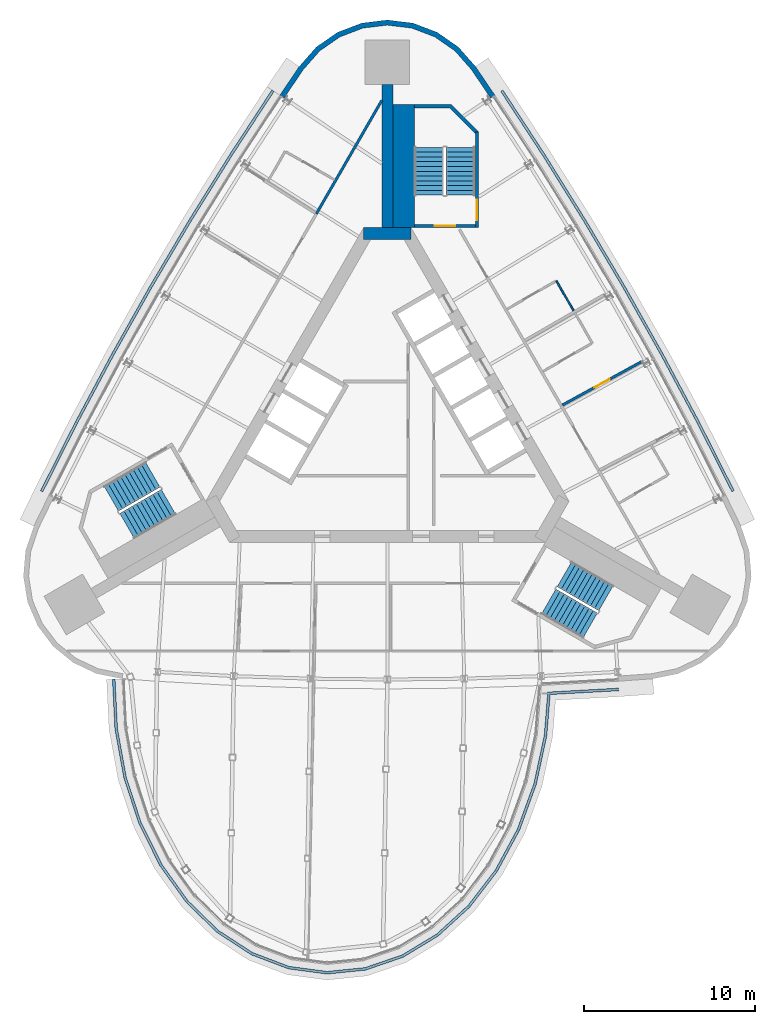
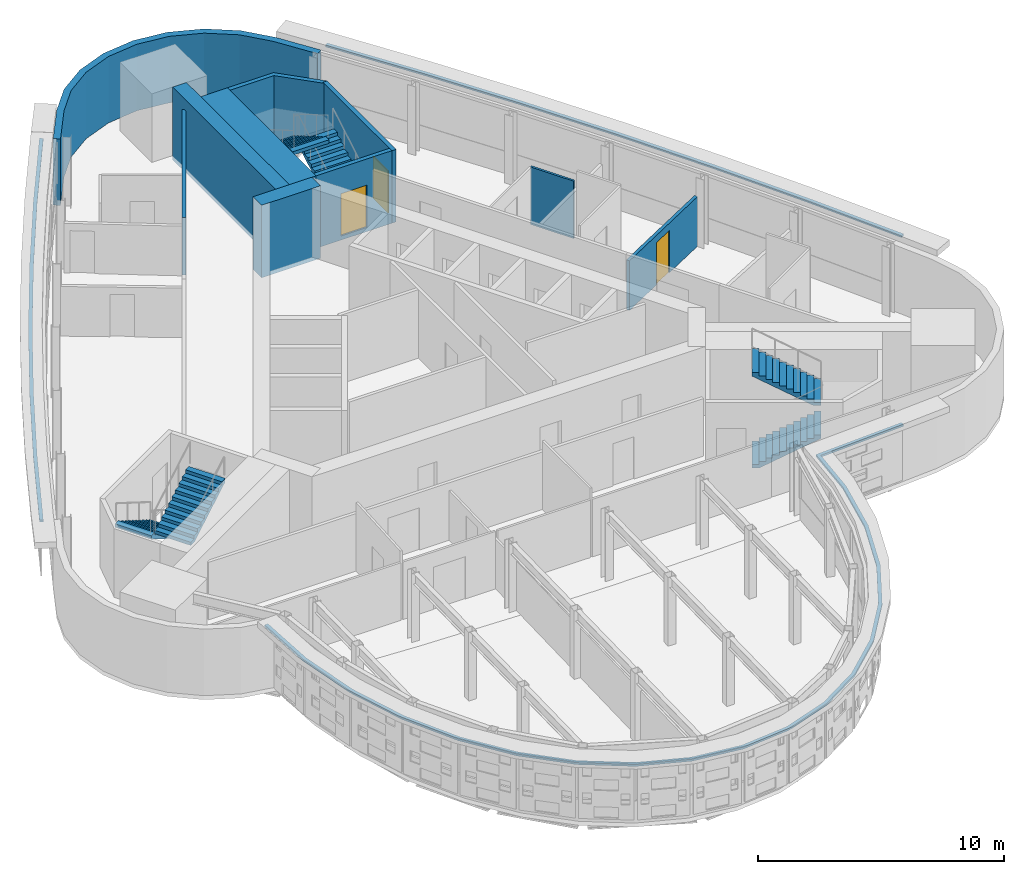
# One storey, part 12 of 15: 10 walls, 6 stair flights, 3 discrete accessories, 3 doors, 3 openings, 3 elements without a shape of their own.
"""IFC4 building model written with IfcOpenShell, lengths in metres."""

from ifc_helpers import new_model, si_unit, direction, frame, frame_2d, origin, place, context, subcontext, project, spatial, polyline, rectangle, outline, extrude, material, layer, layer_set, type_object, element, fill, aggregate, save


model = new_model("IFC4")

# Units and contexts
model_context = context("Model", 3, precision=1e-05, world=origin(), true_north=direction((0.0, 1.0)))
body_context = subcontext(model_context, "Body", "Model", "MODEL_VIEW")
ifc_project = project(units=[si_unit("LENGTHUNIT", "METRE"), si_unit("AREAUNIT", "SQUARE_METRE"), si_unit("VOLUMEUNIT", "CUBIC_METRE"), si_unit("PLANEANGLEUNIT", "RADIAN"), si_unit("MASSUNIT", "GRAM", prefix="KILO")], contexts=[model_context])

# Site, building, storey
site_placement = place(None, origin())
site = spatial("IfcSite", under=ifc_project, at=site_placement, CompositionType="ELEMENT")
building_placement = place(site_placement, origin())
building = spatial("IfcBuilding", under=site, at=building_placement, Name="Noor Cloister Tower", CompositionType="ELEMENT")
storey_placement = place(building_placement, frame((0.0, 0.0, 225.60009765625)))
storey = spatial("IfcBuildingStorey", under=building, at=storey_placement, Name="L58", CompositionType="ELEMENT", Elevation=225.60009765625)

# Walls
ifc_material_1 = material(Name="Concrete C60/75", Category="concrete")
ifc_layer_1 = layer(ifc_material_1, 0.64990234375)
ifc_layer_set_1 = layer_set([ifc_layer_1], Name="Buttress wall 650 C60/75")
wall_type_1 = type_object("IfcWallType", Name="Buttress wall 650 C60/75", PredefinedType="SHEAR", material=ifc_layer_set_1)
wall_1_placement = place(storey_placement, frame((0.0, 11.456298828125, -0.2001953125), z_axis=(0.0, 0.0, 1.0), x_axis=(0.0, 1.0, 0.0)))
element("IfcWall", 1, at=wall_1_placement, inside=storey, type_object=wall_type_1, Name="Buttress wall N L58", PredefinedType="SHEAR", context=body_context, shape_type="SweptSolid", body=[
    extrude(rectangle(XDim=8.358642578125, YDim=0.64990234375, at=frame_2d((4.17919921875, 0.0))), origin(), (0.0, 0.0, 1.0), 3.60009765625),
])
ifc_material_2 = material(Name="Concrete C60/75", Category="concrete")
ifc_layer_2 = layer(ifc_material_2, 0.699951171875)
ifc_layer_set_2 = layer_set([ifc_layer_2], Name="Core wall 700 C60/75")
wall_type_2 = type_object("IfcWallType", Name="Core wall 700 C60/75", PredefinedType="SHEAR", material=ifc_layer_set_2)
wall_2_placement = place(storey_placement, frame((1.3857421875, 11.1064453125, -0.2001953125), z_axis=(0.0, 0.0, 1.0), x_axis=(-1.0, 0.0, 0.0)))
element("IfcWall", 2, at=wall_2_placement, inside=storey, type_object=wall_type_2, Name="Core wall L58 4", PredefinedType="SHEAR", context=body_context, shape_type="SweptSolid", body=[
    extrude(rectangle(XDim=2.771484375, YDim=0.699951171875, at=frame_2d((1.3857421875, 0.0))), origin(), (0.0, 0.0, 1.0), 3.60009765625),
])
ifc_material_3 = material(Name="Fire-rated gypsum board partition on steel studs, 150 mm", Category="steel")
ifc_layer_3 = layer(ifc_material_3, 0.14990234375)
ifc_layer_set_3 = layer_set([ifc_layer_3], Name="Fire lobby wall 150")
wall_type_3 = type_object("IfcWallType", Name="Fire lobby wall 150", PredefinedType="PARTITIONING", material=ifc_layer_set_3)
wall_3_placement = place(storey_placement, frame((-0.324951171875, 18.8935546875, 0.0), z_axis=(0.0, 0.0, 1.0), x_axis=(-0.500004255962, -0.86602294659, 0.0)))
element("IfcWall", 3, at=wall_3_placement, inside=storey, type_object=wall_type_3, Name="Wall L58-W21", PredefinedType="PARTITIONING", context=body_context, shape_type="SweptSolid", body=[
    extrude(rectangle(XDim=7.6494140625, YDim=0.14990234375, at=frame_2d((3.82470703125, 0.0))), origin(), (0.0, 0.0, 1.0), 2.851806640625),
])

# Wall, opening, door
ifc_material_4 = material(Name="Gypsum board partition on steel studs, 150 mm", Category="steel")
ifc_layer_4 = layer(ifc_material_4, 0.14990234375)
ifc_layer_set_4 = layer_set([ifc_layer_4], Name="Flat wall 150")
wall_type_4 = type_object("IfcWallType", Name="Flat wall 150", PredefinedType="PARTITIONING", material=ifc_layer_set_4)
wall_4_placement = place(storey_placement, frame((14.909912109375, 3.661376953125, 0.0), z_axis=(0.0, 0.0, 1.0), x_axis=(-0.87687518663, -0.480718116023, 0.0)))
wall_4 = element("IfcWall", 4, at=wall_4_placement, inside=storey, type_object=wall_type_4, Name="Wall L58-W04", PredefinedType="PARTITIONING", context=body_context, shape_type="SweptSolid", body=[
    extrude(rectangle(XDim=5.34130859375, YDim=0.14990234375, at=frame_2d((2.670654296875, 0.0))), origin(), (0.0, 0.0, 1.0), 2.4609375),
])
opening_1_placement = place(wall_4_placement, frame((2.2080078125, 0.0, 0.0)))
opening_1 = element("IfcOpeningElement", 5, at=opening_1_placement, cuts=wall_4, Name="Opening L58-005", PredefinedType="OPENING", context=body_context, shape_type="SweptSolid", body=[
    extrude(rectangle(XDim=1.0, YDim=2.10009765625, at=frame_2d((0.5, 1.050048828125))), frame((0.0, 0.0849609375, 0.0), z_axis=(0.0, -1.0, 0.0), x_axis=(1.0, 0.0, 0.0)), (0.0, 0.0, 1.0), 0.169921875),
])
ifc_material_5 = material(Name="Timber door leaf with steel frame", Category="steel")
door_type_1 = type_object("IfcDoorType", Name="Flat entrance door 1000", OperationType="NOTDEFINED", PredefinedType="DOOR", material=ifc_material_5)
door_1_placement = place(opening_1_placement, origin())
door_1 = element("IfcDoor", 6, at=door_1_placement, inside=storey, type_object=door_type_1, Name="Door L58-005", OperationType="SINGLE_SWING_LEFT", OverallHeight=2.10009765625, OverallWidth=1.0, PredefinedType="DOOR", context=body_context, shape_type="SweptSolid", body=[
    extrude(rectangle(XDim=1.0, YDim=2.10009765625, at=frame_2d((0.5, 1.050048828125))), frame((0.0, 0.02490234375, 0.0), z_axis=(0.0, -1.0, 0.0), x_axis=(1.0, 0.0, 0.0)), (0.0, 0.0, 1.0), 0.050048828125),
])
fill(opening_1, door_1)

# Walls
ifc_material_6 = material(Name="Limestone", Category="masonry")
ifc_layer_5 = layer(ifc_material_6, 0.300048828125)
ifc_layer_set_5 = layer_set([ifc_layer_5], Name="Limestone cladding 300")
wall_type_5 = type_object("IfcWallType", Name="Limestone cladding 300", PredefinedType="NOTDEFINED", material=ifc_layer_set_5)
wall_5_placement = place(storey_placement, origin())
element("IfcWall", 7, at=wall_5_placement, inside=storey, type_object=wall_type_5, Name="Limestone pier cladding L58 3.1", PredefinedType="NOTDEFINED", context=body_context, shape_type="SweptSolid", body=[
    extrude(outline(polyline([(6.2822265625, 19.2041015625), (5.148681640625, 20.87890625), (4.1513671875, 22.012939453125), (2.91064453125, 22.874267578125), (1.499267578125, 23.412109375), (0.0, 23.5947265625), (-1.499267578125, 23.412109375), (-2.91064453125, 22.874267578125), (-4.1513671875, 22.012939453125), (-5.148681640625, 20.87890625), (-6.2822265625, 19.2041015625), (-6.03369140625, 19.035888671875), (-4.910888671875, 20.69482421875), (-3.9501953125, 21.787353515625), (-2.76953125, 22.60693359375), (-1.426513671875, 23.11865234375), (0.0, 23.292724609375), (1.426513671875, 23.11865234375), (2.76953125, 22.60693359375), (3.9501953125, 21.787353515625), (4.910888671875, 20.69482421875), (6.03369140625, 19.035888671875), (6.2822265625, 19.2041015625)])), origin(), (0.0, 0.0, 1.0), 3.2998046875),
])
ifc_material_7 = material(Name="Gypsum board partition on steel studs, 100 mm", Category="steel")
ifc_layer_6 = layer(ifc_material_7, 0.10009765625)
ifc_layer_set_6 = layer_set([ifc_layer_6], Name="Partition 100")
wall_type_6 = type_object("IfcWallType", Name="Partition 100", PredefinedType="PARTITIONING", material=ifc_layer_set_6)
wall_6_placement = place(storey_placement, frame((10.885498046875, 6.602294921875, 0.0), z_axis=(0.0, 0.0, 1.0), x_axis=(-0.499990325971, 0.866030989016, 0.0)))
element("IfcWall", 8, at=wall_6_placement, inside=storey, type_object=wall_type_6, Name="Wall L58-W11", PredefinedType="PARTITIONING", context=body_context, shape_type="SweptSolid", body=[
    extrude(rectangle(XDim=2.02490234375, YDim=0.10009765625, at=frame_2d((1.012451171875, 0.0))), origin(), (0.0, 0.0, 1.0), 2.851806640625),
])
ifc_material_8 = material(Name="Concrete C60/75", Category="concrete")
ifc_layer_7 = layer(ifc_material_8, 1.260986328125)
ifc_layer_set_7 = layer_set([ifc_layer_7], Name="Stair enclosure wall 1261 C60/75")
wall_type_7 = type_object("IfcWallType", Name="Stair enclosure wall 1261 C60/75", PredefinedType="SHEAR", material=ifc_layer_set_7)
wall_7_placement = place(storey_placement, frame((0.955322265625, 11.456298828125, -0.2001953125), z_axis=(0.0, 0.0, 1.0), x_axis=(0.0, 1.0, 0.0)))
element("IfcWall", 9, at=wall_7_placement, inside=storey, type_object=wall_type_7, Name="Stair enclosure wall ST1 L58 riser side", PredefinedType="SHEAR", context=body_context, shape_type="SweptSolid", body=[
    extrude(rectangle(XDim=7.2001953125, YDim=1.2607421875, at=frame_2d((3.60009765625, 0.0))), origin(), (0.0, 0.0, 1.0), 3.60009765625),
])

# Wall, opening, door
ifc_material_9 = material(Name="Concrete C60/75", Category="concrete")
ifc_layer_8 = layer(ifc_material_9, 0.199951171875)
ifc_layer_set_8 = layer_set([ifc_layer_8], Name="Stair enclosure wall 200 C60/75")
wall_type_8 = type_object("IfcWallType", Name="Stair enclosure wall 200 C60/75", PredefinedType="SHEAR", material=ifc_layer_set_8)
wall_8_placement = place(storey_placement, frame((5.135498046875, 11.556396484375, -0.2001953125), z_axis=(0.0, 0.0, 1.0), x_axis=(-1.0, 0.0, 0.0)))
wall_8 = element("IfcWall", 10, at=wall_8_placement, inside=storey, type_object=wall_type_8, Name="Stair enclosure wall ST1 L58 near end", PredefinedType="SHEAR", context=body_context, shape_type="SweptSolid", body=[
    extrude(rectangle(XDim=3.5498046875, YDim=0.199951171875, at=frame_2d((1.77490234375, 0.0))), origin(), (0.0, 0.0, 1.0), 3.60009765625),
])
opening_2_placement = place(wall_8_placement, frame((1.175048828125, 0.0, 0.199951171875)))
opening_2 = element("IfcOpeningElement", 11, at=opening_2_placement, cuts=wall_8, Name="Opening L58-ST1L", PredefinedType="OPENING", context=body_context, shape_type="SweptSolid", body=[
    extrude(rectangle(XDim=1.199951171875, YDim=2.10009765625, at=frame_2d((0.60009765625, 1.050048828125))), frame((0.0, 0.10986328125, 0.0), z_axis=(0.0, -1.0, 0.0), x_axis=(1.0, 0.0, 0.0)), (0.0, 0.0, 1.0), 0.219970703125),
])
ifc_material_10 = material(Name="Steel", Category="steel")
door_type_2 = type_object("IfcDoorType", Name="Stair door 1200 x 2100 FD120", OperationType="SINGLE_SWING_LEFT", PredefinedType="DOOR", material=ifc_material_10)
door_2_placement = place(opening_2_placement, origin())
door_2 = element("IfcDoor", 12, at=door_2_placement, inside=storey, type_object=door_type_2, Name="Stair door ST1 L58", OperationType="SINGLE_SWING_RIGHT", OverallHeight=2.10009765625, OverallWidth=1.199951171875, PredefinedType="DOOR", context=body_context, shape_type="SweptSolid", body=[
    extrude(rectangle(XDim=1.199951171875, YDim=2.10009765625, at=frame_2d((0.60009765625, 1.050048828125))), frame((0.0, 0.02490234375, 0.0), z_axis=(0.0, -1.0, 0.0), x_axis=(1.0, 0.0, 0.0)), (0.0, 0.0, 1.0), 0.050048828125),
])
fill(opening_2, door_2)

wall_9_placement = place(storey_placement, frame((5.235595703125, 11.456298828125, -0.2001953125), z_axis=(0.0, 0.0, 1.0), x_axis=(0.0, 1.0, 0.0)))
wall_9 = element("IfcWall", 13, at=wall_9_placement, inside=storey, type_object=wall_type_8, Name="Stair enclosure wall ST1 L58 outer side", PredefinedType="SHEAR", context=body_context, shape_type="SweptSolid", body=[
    extrude(rectangle(XDim=5.60009765625, YDim=0.199951171875, at=frame_2d((2.800048828125, 0.0))), origin(), (0.0, 0.0, 1.0), 3.60009765625),
])
opening_3_placement = place(wall_9_placement, frame((0.449951171875, 0.0, 0.199951171875)))
opening_3 = element("IfcOpeningElement", 14, at=opening_3_placement, cuts=wall_9, Name="Opening L58-ST1C", PredefinedType="OPENING", context=body_context, shape_type="SweptSolid", body=[
    extrude(rectangle(XDim=1.199951171875, YDim=2.10009765625, at=frame_2d((0.60009765625, 1.050048828125))), frame((0.0, 0.10986328125, 0.0), z_axis=(0.0, -1.0, 0.0), x_axis=(1.0, 0.0, 0.0)), (0.0, 0.0, 1.0), 0.219970703125),
])
door_3_placement = place(opening_3_placement, origin())
door_3 = element("IfcDoor", 15, at=door_3_placement, inside=storey, type_object=door_type_2, Name="Stair door ST1 L58", OperationType="SINGLE_SWING_LEFT", OverallHeight=2.10009765625, OverallWidth=1.199951171875, PredefinedType="DOOR", context=body_context, shape_type="SweptSolid", body=[
    extrude(rectangle(XDim=1.199951171875, YDim=2.10009765625, at=frame_2d((0.60009765625, 1.050048828125))), frame((0.0, 0.02490234375, 0.0), z_axis=(0.0, -1.0, 0.0), x_axis=(1.0, 0.0, 0.0)), (0.0, 0.0, 1.0), 0.050048828125),
])
fill(opening_3, door_3)

# Wall
ifc_material_11 = material(Name="Concrete C60/75", Category="concrete")
wall_type_9 = type_object("IfcWallType", Name="Stair far end wall C60/75", PredefinedType="SHEAR", material=ifc_material_11)
wall_10_placement = place(storey_placement, frame((0.0, 0.0, -0.2001953125)))
element("IfcWall", 16, at=wall_10_placement, inside=storey, type_object=wall_type_9, Name="Stair enclosure wall ST1 L58 far end", PredefinedType="SHEAR", context=body_context, shape_type="SweptSolid", body=[
    extrude(outline(polyline([(5.335693359375, 17.056396484375), (3.735595703125, 18.656494140625), (1.585693359375, 18.656494140625), (1.585693359375, 18.456298828125), (3.65283203125, 18.456298828125), (5.135498046875, 16.9736328125), (5.135498046875, 17.056396484375), (5.135498046875, 17.056396484375), (5.135498046875, 17.056396484375), (5.135498046875, 17.056396484375), (5.135498046875, 17.056396484375), (5.135498046875, 17.056396484375), (5.135498046875, 17.056396484375), (5.135498046875, 17.056396484375), (5.135498046875, 17.056396484375), (5.135498046875, 17.056396484375), (5.135498046875, 17.056396484375), (5.135498046875, 17.056396484375), (5.135498046875, 17.056396484375), (5.135498046875, 17.056396484375), (5.135498046875, 17.056396484375), (5.135498046875, 17.056396484375), (5.135498046875, 17.056396484375), (5.335693359375, 17.056396484375)])), origin(), (0.0, 0.0, 1.0), 3.60009765625),
])

# Stair, stair flights
ifc_material_12 = material(Name="Concrete C40/50", Category="concrete")
stair_type = type_object("IfcStairType", Name="Exit stair 22 risers", PredefinedType="HALF_TURN_STAIR", material=ifc_material_12)
stair_1_placement = place(storey_placement, origin())
stair_1 = element("IfcStair", 17, at=stair_1_placement, inside=storey, type_object=stair_type, Name="Exit stair ST1 L58", PredefinedType="HALF_TURN_STAIR")
ifc_material_13 = material(Name="Concrete C40/50", Category="concrete")
stair_flight_type = type_object("IfcStairFlightType", Name="Exit stair flight", PredefinedType="STRAIGHT", material=ifc_material_13)
stair_flight_1_placement = place(storey_placement, frame((4.28564453125, 13.3564453125, 0.0), z_axis=(0.0, 0.0, 1.0), x_axis=(0.0, 1.0, 0.0)))
stair_flight_1 = element("IfcStairFlight", 18, at=stair_flight_1_placement, type_object=stair_flight_type, Name="ST1 flight 1", NumberOfRisers=11, NumberOfTreads=10, PredefinedType="STRAIGHT", RiserHeight=0.163636364, TreadLength=0.28, context=body_context, shape_type="SweptSolid", body=[
    extrude(outline(polyline([(0.0, 0.0), (0.0, 0.16357421875), (0.280029296875, 0.16357421875), (0.280029296875, 0.327392578125), (0.56005859375, 0.327392578125), (0.56005859375, 0.490966796875), (0.840087890625, 0.490966796875), (0.840087890625, 0.654541015625), (1.1201171875, 0.654541015625), (1.1201171875, 0.818115234375), (1.39990234375, 0.818115234375), (1.39990234375, 0.98193359375), (1.679931640625, 0.98193359375), (1.679931640625, 1.1455078125), (1.9599609375, 1.1455078125), (1.9599609375, 1.30908203125), (2.239990234375, 1.30908203125), (2.239990234375, 1.47265625), (2.52001953125, 1.47265625), (2.52001953125, 1.636474609375), (2.800048828125, 1.636474609375), (2.800048828125, 1.800048828125), (2.800048828125, 1.462646484375), (0.297119140625, 0.0), (0.0, 0.0)])), frame((0.0, 0.85009765625, 0.0), z_axis=(0.0, -1.0, 0.0), x_axis=(1.0, 0.0, 0.0)), (0.0, 0.0, 1.0), 1.699951171875),
])
stair_flight_2_placement = place(storey_placement, frame((2.435546875, 16.156494140625, 1.7998046875), z_axis=(0.0, 0.0, 1.0), x_axis=(0.0, -1.0, 0.0)))
stair_flight_2 = element("IfcStairFlight", 19, at=stair_flight_2_placement, type_object=stair_flight_type, Name="ST1 flight 2", NumberOfRisers=11, NumberOfTreads=10, PredefinedType="STRAIGHT", RiserHeight=0.163636364, TreadLength=0.28, context=body_context, shape_type="SweptSolid", body=[
    extrude(outline(polyline([(0.0, 0.0), (0.0, 0.16357421875), (0.280029296875, 0.16357421875), (0.280029296875, 0.327392578125), (0.56005859375, 0.327392578125), (0.56005859375, 0.490966796875), (0.840087890625, 0.490966796875), (0.840087890625, 0.654541015625), (1.1201171875, 0.654541015625), (1.1201171875, 0.818115234375), (1.39990234375, 0.818115234375), (1.39990234375, 0.98193359375), (1.679931640625, 0.98193359375), (1.679931640625, 1.1455078125), (1.9599609375, 1.1455078125), (1.9599609375, 1.30908203125), (2.239990234375, 1.30908203125), (2.239990234375, 1.47265625), (2.52001953125, 1.47265625), (2.52001953125, 1.636474609375), (2.800048828125, 1.636474609375), (2.800048828125, 1.800048828125), (2.800048828125, 1.462646484375), (0.297119140625, 0.0), (0.0, 0.0)])), frame((0.0, 0.85009765625, 0.0), z_axis=(0.0, -1.0, 0.0), x_axis=(1.0, 0.0, 0.0)), (0.0, 0.0, 1.0), 1.699951171875),
])
aggregate(stair_1, [stair_flight_1, stair_flight_2])

stair_2_placement = place(storey_placement, origin())
stair_2 = element("IfcStair", 20, at=stair_2_placement, inside=storey, type_object=stair_type, Name="Exit stair ST2 L58", PredefinedType="HALF_TURN_STAIR")
stair_flight_3_placement = place(storey_placement, frame((-13.709716796875, -2.966796875, 0.0), z_axis=(0.0, 0.0, 1.0), x_axis=(-0.866025403784, -0.5, 0.0)))
stair_flight_3 = element("IfcStairFlight", 21, at=stair_flight_3_placement, type_object=stair_flight_type, Name="ST2 flight 1", NumberOfRisers=11, NumberOfTreads=10, PredefinedType="STRAIGHT", RiserHeight=0.163636364, TreadLength=0.28, context=body_context, shape_type="SweptSolid", body=[
    extrude(outline(polyline([(0.0, 0.0), (0.0, 0.16357421875), (0.280029296875, 0.16357421875), (0.280029296875, 0.327392578125), (0.56005859375, 0.327392578125), (0.56005859375, 0.490966796875), (0.840087890625, 0.490966796875), (0.840087890625, 0.654541015625), (1.1201171875, 0.654541015625), (1.1201171875, 0.818115234375), (1.39990234375, 0.818115234375), (1.39990234375, 0.98193359375), (1.679931640625, 0.98193359375), (1.679931640625, 1.1455078125), (1.9599609375, 1.1455078125), (1.9599609375, 1.30908203125), (2.239990234375, 1.30908203125), (2.239990234375, 1.47265625), (2.52001953125, 1.47265625), (2.52001953125, 1.636474609375), (2.800048828125, 1.636474609375), (2.800048828125, 1.800048828125), (2.800048828125, 1.462646484375), (0.297119140625, 0.0), (0.0, 0.0)])), frame((0.0, 0.85009765625, 0.0), z_axis=(0.0, -1.0, 0.0), x_axis=(1.0, 0.0, 0.0)), (0.0, 0.0, 1.0), 1.699951171875),
])
stair_flight_4_placement = place(storey_placement, frame((-15.209716796875, -5.968994140625, 1.7998046875), z_axis=(0.0, 0.0, 1.0), x_axis=(0.866025403784, 0.5, 0.0)))
stair_flight_4 = element("IfcStairFlight", 22, at=stair_flight_4_placement, type_object=stair_flight_type, Name="ST2 flight 2", NumberOfRisers=11, NumberOfTreads=10, PredefinedType="STRAIGHT", RiserHeight=0.163636364, TreadLength=0.28, context=body_context, shape_type="SweptSolid", body=[
    extrude(outline(polyline([(0.0, 0.0), (0.0, 0.16357421875), (0.280029296875, 0.16357421875), (0.280029296875, 0.327392578125), (0.56005859375, 0.327392578125), (0.56005859375, 0.490966796875), (0.840087890625, 0.490966796875), (0.840087890625, 0.654541015625), (1.1201171875, 0.654541015625), (1.1201171875, 0.818115234375), (1.39990234375, 0.818115234375), (1.39990234375, 0.98193359375), (1.679931640625, 0.98193359375), (1.679931640625, 1.1455078125), (1.9599609375, 1.1455078125), (1.9599609375, 1.30908203125), (2.239990234375, 1.30908203125), (2.239990234375, 1.47265625), (2.52001953125, 1.47265625), (2.52001953125, 1.636474609375), (2.800048828125, 1.636474609375), (2.800048828125, 1.800048828125), (2.800048828125, 1.462646484375), (0.297119140625, 0.0), (0.0, 0.0)])), frame((0.0, 0.85009765625, 0.0), z_axis=(0.0, -1.0, 0.0), x_axis=(1.0, 0.0, 0.0)), (0.0, 0.0, 1.0), 1.699951171875),
])
aggregate(stair_2, [stair_flight_3, stair_flight_4])

stair_3_placement = place(storey_placement, origin())
stair_3 = element("IfcStair", 23, at=stair_3_placement, inside=storey, type_object=stair_type, Name="Exit stair ST3 L58", PredefinedType="HALF_TURN_STAIR")
stair_flight_5_placement = place(storey_placement, frame((9.424072265625, -10.3896484375, 0.0), z_axis=(0.0, 0.0, 1.0), x_axis=(0.866025403784, -0.5, 0.0)))
stair_flight_5 = element("IfcStairFlight", 24, at=stair_flight_5_placement, type_object=stair_flight_type, Name="ST3 flight 1", NumberOfRisers=11, NumberOfTreads=10, PredefinedType="STRAIGHT", RiserHeight=0.163636364, TreadLength=0.28, context=body_context, shape_type="SweptSolid", body=[
    extrude(outline(polyline([(0.0, 0.0), (0.0, 0.16357421875), (0.280029296875, 0.16357421875), (0.280029296875, 0.327392578125), (0.56005859375, 0.327392578125), (0.56005859375, 0.490966796875), (0.840087890625, 0.490966796875), (0.840087890625, 0.654541015625), (1.1201171875, 0.654541015625), (1.1201171875, 0.818115234375), (1.39990234375, 0.818115234375), (1.39990234375, 0.98193359375), (1.679931640625, 0.98193359375), (1.679931640625, 1.1455078125), (1.9599609375, 1.1455078125), (1.9599609375, 1.30908203125), (2.239990234375, 1.30908203125), (2.239990234375, 1.47265625), (2.52001953125, 1.47265625), (2.52001953125, 1.636474609375), (2.800048828125, 1.636474609375), (2.800048828125, 1.800048828125), (2.800048828125, 1.462646484375), (0.297119140625, 0.0), (0.0, 0.0)])), frame((0.0, 0.85009765625, 0.0), z_axis=(0.0, -1.0, 0.0), x_axis=(1.0, 0.0, 0.0)), (0.0, 0.0, 1.0), 1.699951171875),
])
stair_flight_6_placement = place(storey_placement, frame((12.77392578125, -10.1875, 1.7998046875), z_axis=(0.0, 0.0, 1.0), x_axis=(-0.866025403784, 0.5, 0.0)))
stair_flight_6 = element("IfcStairFlight", 25, at=stair_flight_6_placement, type_object=stair_flight_type, Name="ST3 flight 2", NumberOfRisers=11, NumberOfTreads=10, PredefinedType="STRAIGHT", RiserHeight=0.163636364, TreadLength=0.28, context=body_context, shape_type="SweptSolid", body=[
    extrude(outline(polyline([(0.0, 0.0), (0.0, 0.16357421875), (0.280029296875, 0.16357421875), (0.280029296875, 0.327392578125), (0.56005859375, 0.327392578125), (0.56005859375, 0.490966796875), (0.840087890625, 0.490966796875), (0.840087890625, 0.654541015625), (1.1201171875, 0.654541015625), (1.1201171875, 0.818115234375), (1.39990234375, 0.818115234375), (1.39990234375, 0.98193359375), (1.679931640625, 0.98193359375), (1.679931640625, 1.1455078125), (1.9599609375, 1.1455078125), (1.9599609375, 1.30908203125), (2.239990234375, 1.30908203125), (2.239990234375, 1.47265625), (2.52001953125, 1.47265625), (2.52001953125, 1.636474609375), (2.800048828125, 1.636474609375), (2.800048828125, 1.800048828125), (2.800048828125, 1.462646484375), (0.297119140625, 0.0), (0.0, 0.0)])), frame((0.0, 0.85009765625, 0.0), z_axis=(0.0, -1.0, 0.0), x_axis=(1.0, 0.0, 0.0)), (0.0, 0.0, 1.0), 1.699951171875),
])
aggregate(stair_3, [stair_flight_5, stair_flight_6])

# Discrete accessories
ifc_material_14 = material(Name="Stainless steel grade 316", Category="steel")
discrete_accessory_type = type_object("IfcDiscreteAccessoryType", Name="Stainless hanger rail", PredefinedType="BRACKET", material=ifc_material_14)
discrete_accessory_1_placement = place(storey_placement, frame((0.0, 0.0, 3.199951171875)))
element("IfcDiscreteAccessory", 26, at=discrete_accessory_1_placement, inside=storey, type_object=discrete_accessory_type, Name="Hanger rail L58", PredefinedType="BRACKET", context=body_context, shape_type="SweptSolid", body=[
    extrude(outline(polyline([(-6.7509765625, 19.510498046875), (-9.21630859375, 15.738525390625), (-11.600830078125, 11.90771484375), (-13.900146484375, 8.025146484375), (-16.113037109375, 4.0927734375), (-18.238037109375, 0.1123046875), (-20.27197265625, -3.90869140625), (-20.129150390625, -3.98095703125), (-18.09619140625, 0.03857421875), (-15.97265625, 4.015869140625), (-13.761474609375, 7.9453125), (-11.464111328125, 11.82470703125), (-9.081298828125, 15.652587890625), (-6.616943359375, 19.4228515625), (-6.7509765625, 19.510498046875)])), origin(), (0.0, 0.0, 1.0), 0.099853515625),
])
discrete_accessory_2_placement = place(storey_placement, frame((0.0, 0.0, 3.199951171875)))
element("IfcDiscreteAccessory", 27, at=discrete_accessory_2_placement, inside=storey, type_object=discrete_accessory_type, Name="Hanger rail L58", PredefinedType="BRACKET", context=body_context, shape_type="SweptSolid", body=[
    extrude(outline(polyline([(-16.066650390625, -14.925537109375), (-15.924560546875, -17.830322265625), (-15.40283203125, -20.69091796875), (-14.517333984375, -23.38720703125), (-13.291748046875, -25.839111328125), (-11.759521484375, -27.973388671875), (-9.961669921875, -29.7236328125), (-7.94921875, -31.03271484375), (-5.781494140625, -31.854248046875), (-3.52880859375, -32.156494140625), (-1.267578125, -31.9267578125), (0.92529296875, -31.175048828125), (2.978759765625, -29.93115234375), (4.831787109375, -28.239501953125), (6.431884765625, -26.155517578125), (7.7353515625, -23.744140625), (8.70703125, -21.07763671875), (9.320068359375, -18.235107421875), (9.515625, -15.823486328125), (13.52099609375, -15.6015625), (13.51220703125, -15.44189453125), (9.367431640625, -15.67138671875), (9.16162109375, -18.211669921875), (8.552978515625, -21.033203125), (7.589111328125, -23.678466796875), (6.297119140625, -26.068359375), (4.71337890625, -28.130859375), (2.882568359375, -29.802490234375), (0.857177734375, -31.029296875), (-1.302001953125, -31.76953125), (-3.526123046875, -31.995361328125), (-5.741943359375, -31.6982421875), (-7.876220703125, -30.88916015625), (-9.861328125, -29.59814453125), (-11.6376953125, -27.86865234375), (-13.154541015625, -25.75634765625), (-14.368896484375, -23.326171875), (-15.24755859375, -20.6513671875), (-15.765380859375, -17.81201171875), (-15.90673828125, -14.917724609375), (-16.066650390625, -14.925537109375)])), origin(), (0.0, 0.0, 1.0), 0.099853515625),
])
discrete_accessory_3_placement = place(storey_placement, frame((0.0, 0.0, 3.199951171875)))
element("IfcDiscreteAccessory", 28, at=discrete_accessory_3_placement, inside=storey, type_object=discrete_accessory_type, Name="Hanger rail L58", PredefinedType="BRACKET", context=body_context, shape_type="SweptSolid", body=[
    extrude(outline(polyline([(20.27197265625, -3.90869140625), (18.238037109375, 0.1123046875), (16.113037109375, 4.0927734375), (13.900146484375, 8.025146484375), (11.600830078125, 11.90771484375), (9.21630859375, 15.738525390625), (6.7509765625, 19.510498046875), (6.616943359375, 19.4228515625), (9.081298828125, 15.652587890625), (11.464111328125, 11.82470703125), (13.761474609375, 7.9453125), (15.97265625, 4.015869140625), (18.09619140625, 0.03857421875), (20.129150390625, -3.98095703125), (20.27197265625, -3.90869140625)])), origin(), (0.0, 0.0, 1.0), 0.099853515625),
])

save(model, "model.ifc")
